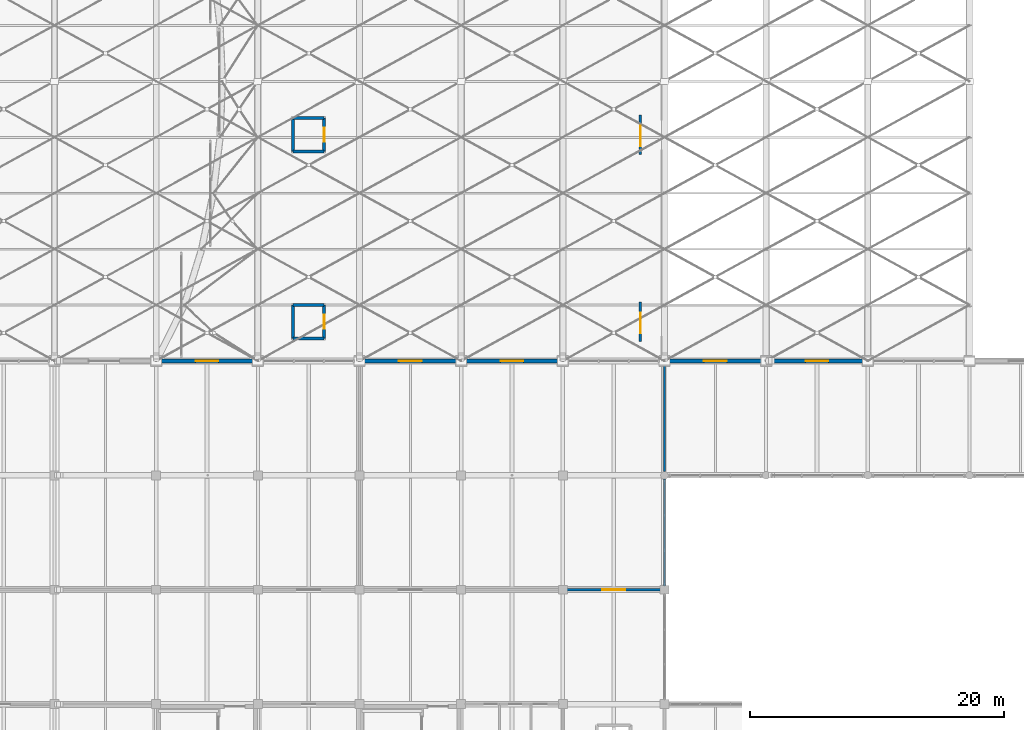
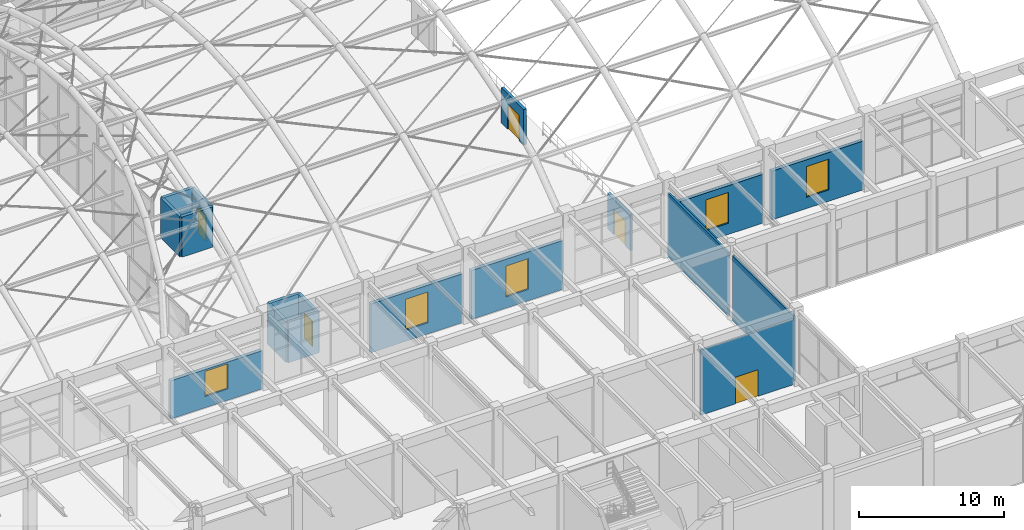
# One storey, part 129 of 163: 18 walls, 5 doors, 5 windows, 10 openings.
"""IFC4 building model written with IfcOpenShell, lengths in metres."""

from ifc_helpers import new_model, si_unit, direction, frame, frame_2d, origin, place, context, subcontext, project, spatial, rectangle, extrude, material, layer, layer_set, type_object, element, fill, save


model = new_model("IFC4")

# Units and contexts
model_context = context("Model", 3, precision=1e-05, world=origin(), true_north=direction((0.0, 1.0)))
body_context = subcontext(model_context, "Body", "Model", "MODEL_VIEW")
ifc_project = project(units=[si_unit("LENGTHUNIT", "METRE"), si_unit("AREAUNIT", "SQUARE_METRE"), si_unit("VOLUMEUNIT", "CUBIC_METRE"), si_unit("PLANEANGLEUNIT", "RADIAN"), si_unit("MASSUNIT", "GRAM", prefix="KILO")], contexts=[model_context])

# Site, building, storey
site_placement = place(None, origin())
site = spatial("IfcSite", under=ifc_project, at=site_placement, CompositionType="ELEMENT")
building_placement = place(site_placement, origin())
building = spatial("IfcBuilding", under=site, at=building_placement, Name="Varnabhumi Central Station", CompositionType="ELEMENT")
storey_placement = place(building_placement, frame((0.0, 0.0, 9.60009765625)))
storey = spatial("IfcBuildingStorey", under=building, at=storey_placement, Name="L02", CompositionType="ELEMENT", Elevation=9.60009765625)

# Wall, opening, door
ifc_material_1 = material(Name="Autoclaved aerated blockwork masonry", Category="masonry")
ifc_layer_1 = layer(ifc_material_1, 0.219970703125, Name="Autoclaved aerated blockwork masonry", Category="masonry")
ifc_layer_set_1 = layer_set([ifc_layer_1], Name="Autoclaved aerated blockwork masonry")
wall_type_1 = type_object("IfcWallType", Name="WAL-COMP-AAC-220", PredefinedType="SOLIDWALL", material=ifc_layer_set_1)
wall_1_placement = place(storey_placement, frame((110.10009765625, 37.550048828125, 0.0), z_axis=(0.0, 0.0, 1.0), x_axis=(0.0, 1.0, 0.0)))
wall_1 = element("IfcWall", 1, at=wall_1_placement, inside=storey, type_object=wall_type_1, Name="Platform 1 Concourse Stair Vestibule Wall", PredefinedType="SOLIDWALL", context=body_context, shape_type="SweptSolid", body=[
    extrude(rectangle(XDim=3.099853515625, YDim=0.219970703125, at=frame_2d((1.5498046875, 0.0))), origin(), (0.0, 0.0, 1.0), 3.0),
])
opening_1_placement = place(wall_1_placement, frame((0.64990234375, 0.0, 0.0)))
opening_1 = element("IfcOpeningElement", 2, at=opening_1_placement, cuts=wall_1, Name="Opening FD-60D", PredefinedType="OPENING", context=body_context, shape_type="SweptSolid", body=[
    extrude(rectangle(XDim=1.60009765625, YDim=2.14990234375, at=frame_2d((0.800048828125, 1.074951171875))), frame((0.0, 0.119873046875, 0.0), z_axis=(0.0, -1.0, 0.0), x_axis=(1.0, 0.0, 0.0)), (0.0, 0.0, 1.0), 0.239990234375),
])
ifc_material_2 = material(Name="Intumescent-treated hardwood timber", Category="wood")
door_type_1 = type_object("IfcDoorType", Name="DR-FIRE-60-1600", OperationType="NOTDEFINED", PredefinedType="DOOR", material=ifc_material_2)
door_1_placement = place(opening_1_placement, origin())
door_1 = element("IfcDoor", 3, at=door_1_placement, inside=storey, type_object=door_type_1, Name="Platform 1 Concourse Stair Exit Door", OperationType="DOUBLE_DOOR_SINGLE_SWING", OverallHeight=2.14990234375, OverallWidth=1.60009765625, PredefinedType="DOOR", context=body_context, shape_type="SweptSolid", body=[
    extrude(rectangle(XDim=1.60009765625, YDim=2.14990234375, at=frame_2d((0.800048828125, 1.074951171875))), frame((0.0, 0.02490234375, 0.0), z_axis=(0.0, -1.0, 0.0), x_axis=(1.0, 0.0, 0.0)), (0.0, 0.0, 1.0), 0.050048828125),
])
fill(opening_1, door_1)

wall_2_placement = place(storey_placement, frame((110.10009765625, 52.25, 0.0), z_axis=(0.0, 0.0, 1.0), x_axis=(0.0, 1.0, 0.0)))
wall_2 = element("IfcWall", 4, at=wall_2_placement, inside=storey, type_object=wall_type_1, Name="Platform 2 Concourse Stair Vestibule Wall", PredefinedType="SOLIDWALL", context=body_context, shape_type="SweptSolid", body=[
    extrude(rectangle(XDim=3.10009765625, YDim=0.219970703125, at=frame_2d((1.550048828125, 0.0))), origin(), (0.0, 0.0, 1.0), 3.0),
])
opening_2_placement = place(wall_2_placement, frame((0.64990234375, 0.0, 0.0)))
opening_2 = element("IfcOpeningElement", 5, at=opening_2_placement, cuts=wall_2, Name="Opening FD-60D", PredefinedType="OPENING", context=body_context, shape_type="SweptSolid", body=[
    extrude(rectangle(XDim=1.60009765625, YDim=2.14990234375, at=frame_2d((0.800048828125, 1.074951171875))), frame((0.0, 0.119873046875, 0.0), z_axis=(0.0, -1.0, 0.0), x_axis=(1.0, 0.0, 0.0)), (0.0, 0.0, 1.0), 0.239990234375),
])
door_2_placement = place(opening_2_placement, origin())
door_2 = element("IfcDoor", 6, at=door_2_placement, inside=storey, type_object=door_type_1, Name="Platform 2 Concourse Stair Exit Door", OperationType="DOUBLE_DOOR_SINGLE_SWING", OverallHeight=2.14990234375, OverallWidth=1.60009765625, PredefinedType="DOOR", context=body_context, shape_type="SweptSolid", body=[
    extrude(rectangle(XDim=1.60009765625, YDim=2.14990234375, at=frame_2d((0.800048828125, 1.074951171875))), frame((0.0, 0.02490234375, 0.0), z_axis=(0.0, -1.0, 0.0), x_axis=(1.0, 0.0, 0.0)), (0.0, 0.0, 1.0), 0.050048828125),
])
fill(opening_2, door_2)

# Wall, opening, window
ifc_layer_2 = layer(ifc_material_1, 0.300048828125, Name="Autoclaved aerated blockwork masonry", Category="masonry")
ifc_layer_set_2 = layer_set([ifc_layer_2], Name="Autoclaved aerated blockwork masonry")
wall_type_2 = type_object("IfcWallType", Name="WAL-EXT-STUCCO-300", PredefinedType="SOLIDWALL", material=ifc_layer_set_2)
wall_3_placement = place(storey_placement, frame((72.344970703125, 36.0, 0.0), z_axis=(0.0, 0.0, 1.0), x_axis=(1.0, 0.0, 0.0)))
wall_3 = element("IfcWall", 7, at=wall_3_placement, inside=storey, type_object=wall_type_2, Name="South Spine Wall L02-6", PredefinedType="SOLIDWALL", context=body_context, shape_type="SweptSolid", body=[
    extrude(rectangle(XDim=7.31005859375, YDim=0.300048828125, at=frame_2d((3.655029296875, 0.0))), origin(), (0.0, 0.0, 1.0), 3.219970703125),
])
opening_3_placement = place(wall_3_placement, frame((2.7548828125, 0.0, 0.949951171875)))
opening_3 = element("IfcOpeningElement", 8, at=opening_3_placement, cuts=wall_3, Name="Opening W-02", PredefinedType="OPENING", context=body_context, shape_type="SweptSolid", body=[
    extrude(rectangle(XDim=1.800048828125, YDim=2.1298828125, at=frame_2d((0.89990234375, 1.06494140625))), frame((0.0, 0.159912109375, 0.0), z_axis=(0.0, -1.0, 0.0), x_axis=(1.0, 0.0, 0.0)), (0.0, 0.0, 1.0), 0.320068359375),
])
ifc_material_3 = material(Name="Laminated low-E double glazing", Category="glass")
window_type = type_object("IfcWindowType", Name="WIN-ARCADE-1800x2600", PartitioningType="DOUBLE_PANEL_VERTICAL", PredefinedType="WINDOW", material=ifc_material_3)
window_1_placement = place(opening_3_placement, origin())
window_1 = element("IfcWindow", 9, at=window_1_placement, inside=storey, type_object=window_type, Name="South Spine Overlook Window L02-6", OverallHeight=2.1298828125, OverallWidth=1.800048828125, PartitioningType="SINGLE_PANEL", PredefinedType="WINDOW", context=body_context, shape_type="SweptSolid", body=[
    extrude(rectangle(XDim=1.800048828125, YDim=2.1298828125, at=frame_2d((0.89990234375, 1.06494140625))), frame((0.0, 0.030029296875, 0.0), z_axis=(0.0, -1.0, 0.0), x_axis=(1.0, 0.0, 0.0)), (0.0, 0.0, 1.0), 0.06005859375),
])
fill(opening_3, window_1)

wall_4_placement = place(storey_placement, frame((88.344970703125, 36.0, 0.0), z_axis=(0.0, 0.0, 1.0), x_axis=(1.0, 0.0, 0.0)))
wall_4 = element("IfcWall", 10, at=wall_4_placement, inside=storey, type_object=wall_type_2, Name="South Spine Wall L02-8", PredefinedType="SOLIDWALL", context=body_context, shape_type="SweptSolid", body=[
    extrude(rectangle(XDim=7.31005859375, YDim=0.300048828125, at=frame_2d((3.655029296875, 0.0))), origin(), (0.0, 0.0, 1.0), 4.119873046875),
])
opening_4_placement = place(wall_4_placement, frame((2.7548828125, 0.0, 0.949951171875)))
opening_4 = element("IfcOpeningElement", 11, at=opening_4_placement, cuts=wall_4, Name="Opening W-02", PredefinedType="OPENING", context=body_context, shape_type="SweptSolid", body=[
    extrude(rectangle(XDim=1.800048828125, YDim=2.60009765625, at=frame_2d((0.89990234375, 1.300048828125))), frame((0.0, 0.159912109375, 0.0), z_axis=(0.0, -1.0, 0.0), x_axis=(1.0, 0.0, 0.0)), (0.0, 0.0, 1.0), 0.320068359375),
])
window_2_placement = place(opening_4_placement, origin())
window_2 = element("IfcWindow", 12, at=window_2_placement, inside=storey, type_object=window_type, Name="South Spine Overlook Window L02-8", OverallHeight=2.60009765625, OverallWidth=1.800048828125, PartitioningType="SINGLE_PANEL", PredefinedType="WINDOW", context=body_context, shape_type="SweptSolid", body=[
    extrude(rectangle(XDim=1.800048828125, YDim=2.60009765625, at=frame_2d((0.89990234375, 1.300048828125))), frame((0.0, 0.030029296875, 0.0), z_axis=(0.0, -1.0, 0.0), x_axis=(1.0, 0.0, 0.0)), (0.0, 0.0, 1.0), 0.06005859375),
])
fill(opening_4, window_2)

wall_5_placement = place(storey_placement, frame((96.344970703125, 36.0, 0.0), z_axis=(0.0, 0.0, 1.0), x_axis=(1.0, 0.0, 0.0)))
wall_5 = element("IfcWall", 13, at=wall_5_placement, inside=storey, type_object=wall_type_2, Name="South Spine Wall L02-9", PredefinedType="SOLIDWALL", context=body_context, shape_type="SweptSolid", body=[
    extrude(rectangle(XDim=7.31005859375, YDim=0.300048828125, at=frame_2d((3.655029296875, 0.0))), origin(), (0.0, 0.0, 1.0), 4.119873046875),
])
opening_5_placement = place(wall_5_placement, frame((2.7548828125, 0.0, 0.949951171875)))
opening_5 = element("IfcOpeningElement", 14, at=opening_5_placement, cuts=wall_5, Name="Opening W-02", PredefinedType="OPENING", context=body_context, shape_type="SweptSolid", body=[
    extrude(rectangle(XDim=1.800048828125, YDim=2.60009765625, at=frame_2d((0.89990234375, 1.300048828125))), frame((0.0, 0.159912109375, 0.0), z_axis=(0.0, -1.0, 0.0), x_axis=(1.0, 0.0, 0.0)), (0.0, 0.0, 1.0), 0.320068359375),
])
window_3_placement = place(opening_5_placement, origin())
window_3 = element("IfcWindow", 15, at=window_3_placement, inside=storey, type_object=window_type, Name="South Spine Overlook Window L02-9", OverallHeight=2.60009765625, OverallWidth=1.800048828125, PartitioningType="SINGLE_PANEL", PredefinedType="WINDOW", context=body_context, shape_type="SweptSolid", body=[
    extrude(rectangle(XDim=1.800048828125, YDim=2.60009765625, at=frame_2d((0.89990234375, 1.300048828125))), frame((0.0, 0.030029296875, 0.0), z_axis=(0.0, -1.0, 0.0), x_axis=(1.0, 0.0, 0.0)), (0.0, 0.0, 1.0), 0.06005859375),
])
fill(opening_5, window_3)

wall_6_placement = place(storey_placement, frame((112.344970703125, 36.0, 0.0), z_axis=(0.0, 0.0, 1.0), x_axis=(1.0, 0.0, 0.0)))
wall_6 = element("IfcWall", 16, at=wall_6_placement, inside=storey, type_object=wall_type_2, Name="South Spine Wall L02-11", PredefinedType="SOLIDWALL", context=body_context, shape_type="SweptSolid", body=[
    extrude(rectangle(XDim=7.31005859375, YDim=0.300048828125, at=frame_2d((3.655029296875, 0.0))), origin(), (0.0, 0.0, 1.0), 4.119873046875),
])
opening_6_placement = place(wall_6_placement, frame((2.7548828125, 0.0, 0.949951171875)))
opening_6 = element("IfcOpeningElement", 17, at=opening_6_placement, cuts=wall_6, Name="Opening W-02", PredefinedType="OPENING", context=body_context, shape_type="SweptSolid", body=[
    extrude(rectangle(XDim=1.800048828125, YDim=2.60009765625, at=frame_2d((0.89990234375, 1.300048828125))), frame((0.0, 0.159912109375, 0.0), z_axis=(0.0, -1.0, 0.0), x_axis=(1.0, 0.0, 0.0)), (0.0, 0.0, 1.0), 0.320068359375),
])
window_4_placement = place(opening_6_placement, origin())
window_4 = element("IfcWindow", 18, at=window_4_placement, inside=storey, type_object=window_type, Name="South Spine Overlook Window L02-11", OverallHeight=2.60009765625, OverallWidth=1.800048828125, PartitioningType="SINGLE_PANEL", PredefinedType="WINDOW", context=body_context, shape_type="SweptSolid", body=[
    extrude(rectangle(XDim=1.800048828125, YDim=2.60009765625, at=frame_2d((0.89990234375, 1.300048828125))), frame((0.0, 0.030029296875, 0.0), z_axis=(0.0, -1.0, 0.0), x_axis=(1.0, 0.0, 0.0)), (0.0, 0.0, 1.0), 0.06005859375),
])
fill(opening_6, window_4)

wall_7_placement = place(storey_placement, frame((120.344970703125, 36.0, 0.0), z_axis=(0.0, 0.0, 1.0), x_axis=(1.0, 0.0, 0.0)))
wall_7 = element("IfcWall", 19, at=wall_7_placement, inside=storey, type_object=wall_type_2, Name="South Spine Wall L02-12", PredefinedType="SOLIDWALL", context=body_context, shape_type="SweptSolid", body=[
    extrude(rectangle(XDim=7.31005859375, YDim=0.300048828125, at=frame_2d((3.655029296875, 0.0))), origin(), (0.0, 0.0, 1.0), 4.119873046875),
])
opening_7_placement = place(wall_7_placement, frame((2.7548828125, 0.0, 0.949951171875)))
opening_7 = element("IfcOpeningElement", 20, at=opening_7_placement, cuts=wall_7, Name="Opening W-02", PredefinedType="OPENING", context=body_context, shape_type="SweptSolid", body=[
    extrude(rectangle(XDim=1.800048828125, YDim=2.60009765625, at=frame_2d((0.89990234375, 1.300048828125))), frame((0.0, 0.159912109375, 0.0), z_axis=(0.0, -1.0, 0.0), x_axis=(1.0, 0.0, 0.0)), (0.0, 0.0, 1.0), 0.320068359375),
])
window_5_placement = place(opening_7_placement, origin())
window_5 = element("IfcWindow", 21, at=window_5_placement, inside=storey, type_object=window_type, Name="South Spine Overlook Window L02-12", OverallHeight=2.60009765625, OverallWidth=1.800048828125, PartitioningType="SINGLE_PANEL", PredefinedType="WINDOW", context=body_context, shape_type="SweptSolid", body=[
    extrude(rectangle(XDim=1.800048828125, YDim=2.60009765625, at=frame_2d((0.89990234375, 1.300048828125))), frame((0.0, 0.030029296875, 0.0), z_axis=(0.0, -1.0, 0.0), x_axis=(1.0, 0.0, 0.0)), (0.0, 0.0, 1.0), 0.06005859375),
])
fill(opening_7, window_5)

# Wall, opening, door
ifc_layer_3 = layer(ifc_material_1, 0.159912109375, Name="Autoclaved aerated blockwork masonry", Category="masonry")
ifc_layer_set_3 = layer_set([ifc_layer_3], Name="Autoclaved aerated blockwork masonry")
wall_type_3 = type_object("IfcWallType", Name="WAL-PART-AAC-160", PredefinedType="PARTITIONING", material=ifc_layer_set_3)
wall_8_placement = place(storey_placement, frame((104.300048828125, 18.0, 0.0), z_axis=(0.0, 0.0, 1.0), x_axis=(1.0, 0.0, 0.0)))
wall_8 = element("IfcWall", 22, at=wall_8_placement, inside=storey, type_object=wall_type_3, Name="Family Waiting Hall Corridor Partition 3", PredefinedType="PARTITIONING", context=body_context, shape_type="SweptSolid", body=[
    extrude(rectangle(XDim=7.39990234375, YDim=0.159912109375, at=frame_2d((3.699951171875, 0.0))), origin(), (0.0, 0.0, 1.0), 5.5),
])
opening_8_placement = place(wall_8_placement, frame((2.800048828125, 0.0, 0.0)))
opening_8 = element("IfcOpeningElement", 23, at=opening_8_placement, cuts=wall_8, Name="Opening D-02", PredefinedType="OPENING", context=body_context, shape_type="SweptSolid", body=[
    extrude(rectangle(XDim=1.800048828125, YDim=2.25, at=frame_2d((0.89990234375, 1.125))), frame((0.0, 0.08984375, 0.0), z_axis=(0.0, -1.0, 0.0), x_axis=(1.0, 0.0, 0.0)), (0.0, 0.0, 1.0), 0.179931640625),
])
ifc_material_4 = material(Name="Anodised aluminium 6063-T6", Category="aluminium")
door_type_2 = type_object("IfcDoorType", Name="DR-LOUNGE-1800", OperationType="NOTDEFINED", PredefinedType="DOOR", material=ifc_material_4)
door_3_placement = place(opening_8_placement, frame((1.800048828125, 0.0, 0.0), z_axis=(0.0, 0.0, 1.0), x_axis=(-1.0, 0.0, 0.0)))
door_3 = element("IfcDoor", 24, at=door_3_placement, inside=storey, type_object=door_type_2, Name="Family Waiting Hall Door 3", OperationType="DOUBLE_DOOR_SINGLE_SWING", OverallHeight=2.25, OverallWidth=1.800048828125, PredefinedType="DOOR", context=body_context, shape_type="SweptSolid", body=[
    extrude(rectangle(XDim=1.800048828125, YDim=2.25, at=frame_2d((0.89990234375, 1.125))), frame((0.0, 0.02490234375, 0.0), z_axis=(0.0, -1.0, 0.0), x_axis=(1.0, 0.0, 0.0)), (0.0, 0.0, 1.0), 0.050048828125),
])
fill(opening_8, door_3)

# Walls
wall_9_placement = place(storey_placement, frame((112.0, 18.300048828125, 0.0), z_axis=(0.0, 0.0, 1.0), x_axis=(0.0, 1.0, 0.0)))
element("IfcWall", 25, at=wall_9_placement, inside=storey, type_object=wall_type_3, Name="Family Waiting Hall W Partition 1", PredefinedType="PARTITIONING", context=body_context, shape_type="SweptSolid", body=[
    extrude(rectangle(XDim=8.39990234375, YDim=0.159912109375, at=frame_2d((4.199951171875, 0.0))), origin(), (0.0, 0.0, 1.0), 5.5),
])
wall_10_placement = place(storey_placement, frame((112.0, 27.300048828125, 0.0), z_axis=(0.0, 0.0, 1.0), x_axis=(0.0, 1.0, 0.0)))
element("IfcWall", 26, at=wall_10_placement, inside=storey, type_object=wall_type_3, Name="Family Waiting Hall W Partition 2", PredefinedType="PARTITIONING", context=body_context, shape_type="SweptSolid", body=[
    extrude(rectangle(XDim=8.39990234375, YDim=0.159912109375, at=frame_2d((4.199951171875, 0.0))), origin(), (0.0, 0.0, 1.0), 5.35986328125),
])
ifc_material_5 = material(Name="Concrete M40", Category="concrete")
ifc_layer_4 = layer(ifc_material_5, 0.239990234375, Name="Concrete M40", Category="concrete")
ifc_layer_set_4 = layer_set([ifc_layer_4], Name="Concrete M40")
wall_type_4 = type_object("IfcWallType", Name="WAL-SHAFT-RC-240", PredefinedType="SHEAR", material=ifc_layer_set_4)
wall_11_placement = place(storey_placement, frame((82.780029296875, 37.780029296875, 0.0), z_axis=(0.0, 0.0, 1.0), x_axis=(0.0, 1.0, 0.0)))
element("IfcWall", 27, at=wall_11_placement, inside=storey, type_object=wall_type_4, Name="PL-1 L02 Shaft West Wall", PredefinedType="SHEAR", context=body_context, shape_type="SweptSolid", body=[
    extrude(rectangle(XDim=2.639892578125, YDim=0.239990234375, at=frame_2d((1.31982421875, 0.0))), origin(), (0.0, 0.0, 1.0), 3.39990234375),
])
for number, where, z_axis, x_axis, name in (
    (28, (82.780029296875, 37.780029296875, 0.0), (0.0, 0.0, 1.0), (1.0, 0.0, 0.0), "PL-1 L02 Shaft South Wall"),
    (29, (82.780029296875, 40.419921875, 0.0), (0.0, 0.0, 1.0), (1.0, 0.0, 0.0), "PL-1 L02 Shaft North Wall"),
):
    element("IfcWall", number, at=place(storey_placement, frame(where, z_axis=z_axis, x_axis=x_axis)), inside=storey, type_object=wall_type_4, Name=name, PredefinedType="SHEAR", context=body_context, shape_type="SweptSolid", body=[
        extrude(rectangle(XDim=2.43994140625, YDim=0.239990234375, at=frame_2d((1.219970703125, 0.0))), origin(), (0.0, 0.0, 1.0), 3.39990234375),
    ])

# Wall, opening, door
wall_12_placement = place(storey_placement, frame((85.219970703125, 37.780029296875, 0.0), z_axis=(0.0, 0.0, 1.0), x_axis=(0.0, 1.0, 0.0)))
wall_12 = element("IfcWall", 30, at=wall_12_placement, inside=storey, type_object=wall_type_4, Name="PL-1 L02 Shaft Front Wall", PredefinedType="SHEAR", context=body_context, shape_type="SweptSolid", body=[
    extrude(rectangle(XDim=2.639892578125, YDim=0.239990234375, at=frame_2d((1.31982421875, 0.0))), origin(), (0.0, 0.0, 1.0), 3.39990234375),
])
opening_9_placement = place(wall_12_placement, frame((0.77001953125, 0.0, 0.0)))
opening_9 = element("IfcOpeningElement", 31, at=opening_9_placement, cuts=wall_12, Name="Opening LD-PL-1", PredefinedType="OPENING", context=body_context, shape_type="SweptSolid", body=[
    extrude(rectangle(XDim=1.10009765625, YDim=2.14990234375, at=frame_2d((0.550048828125, 1.074951171875))), frame((0.0, 0.1298828125, 0.0), z_axis=(0.0, -1.0, 0.0), x_axis=(1.0, 0.0, 0.0)), (0.0, 0.0, 1.0), 0.260009765625),
])
ifc_material_6 = material(Name="Stainless steel Grade 316", Category="steel")
door_type_3 = type_object("IfcDoorType", Name="DR-LIFT-PASS-1100", OperationType="NOTDEFINED", PredefinedType="DOOR", material=ifc_material_6)
door_4_placement = place(opening_9_placement, origin())
door_4 = element("IfcDoor", 32, at=door_4_placement, inside=storey, type_object=door_type_3, Name="Lift Landing Door PL-1 L02", OperationType="DOUBLE_DOOR_SLIDING", OverallHeight=2.14990234375, OverallWidth=1.10009765625, PredefinedType="DOOR", context=body_context, shape_type="SweptSolid", body=[
    extrude(rectangle(XDim=1.10009765625, YDim=2.14990234375, at=frame_2d((0.550048828125, 1.074951171875))), frame((0.0, 0.02490234375, 0.0), z_axis=(0.0, -1.0, 0.0), x_axis=(1.0, 0.0, 0.0)), (0.0, 0.0, 1.0), 0.050048828125),
])
fill(opening_9, door_4)

# Walls
wall_13_placement = place(storey_placement, frame((82.780029296875, 52.47998046875, 0.0), z_axis=(0.0, 0.0, 1.0), x_axis=(0.0, 1.0, 0.0)))
element("IfcWall", 33, at=wall_13_placement, inside=storey, type_object=wall_type_4, Name="PL-2 L02 Shaft West Wall", PredefinedType="SHEAR", context=body_context, shape_type="SweptSolid", body=[
    extrude(rectangle(XDim=2.64013671875, YDim=0.239990234375, at=frame_2d((1.320068359375, 0.0))), origin(), (0.0, 0.0, 1.0), 3.39990234375),
])
for number, where, z_axis, x_axis, name in (
    (34, (82.780029296875, 52.47998046875, 0.0), (0.0, 0.0, 1.0), (1.0, 0.0, 0.0), "PL-2 L02 Shaft South Wall"),
    (35, (82.780029296875, 55.1201171875, 0.0), (0.0, 0.0, 1.0), (1.0, 0.0, 0.0), "PL-2 L02 Shaft North Wall"),
):
    element("IfcWall", number, at=place(storey_placement, frame(where, z_axis=z_axis, x_axis=x_axis)), inside=storey, type_object=wall_type_4, Name=name, PredefinedType="SHEAR", context=body_context, shape_type="SweptSolid", body=[
        extrude(rectangle(XDim=2.43994140625, YDim=0.239990234375, at=frame_2d((1.219970703125, 0.0))), origin(), (0.0, 0.0, 1.0), 3.39990234375),
    ])

# Wall, opening, door
wall_14_placement = place(storey_placement, frame((85.219970703125, 52.47998046875, 0.0), z_axis=(0.0, 0.0, 1.0), x_axis=(0.0, 1.0, 0.0)))
wall_14 = element("IfcWall", 36, at=wall_14_placement, inside=storey, type_object=wall_type_4, Name="PL-2 L02 Shaft Front Wall", PredefinedType="SHEAR", context=body_context, shape_type="SweptSolid", body=[
    extrude(rectangle(XDim=2.64013671875, YDim=0.239990234375, at=frame_2d((1.320068359375, 0.0))), origin(), (0.0, 0.0, 1.0), 3.39990234375),
])
opening_10_placement = place(wall_14_placement, frame((0.77001953125, 0.0, 0.0)))
opening_10 = element("IfcOpeningElement", 37, at=opening_10_placement, cuts=wall_14, Name="Opening LD-PL-2", PredefinedType="OPENING", context=body_context, shape_type="SweptSolid", body=[
    extrude(rectangle(XDim=1.10009765625, YDim=2.14990234375, at=frame_2d((0.550048828125, 1.074951171875))), frame((0.0, 0.1298828125, 0.0), z_axis=(0.0, -1.0, 0.0), x_axis=(1.0, 0.0, 0.0)), (0.0, 0.0, 1.0), 0.260009765625),
])
door_5_placement = place(opening_10_placement, origin())
door_5 = element("IfcDoor", 38, at=door_5_placement, inside=storey, type_object=door_type_3, Name="Lift Landing Door PL-2 L02", OperationType="DOUBLE_DOOR_SLIDING", OverallHeight=2.14990234375, OverallWidth=1.10009765625, PredefinedType="DOOR", context=body_context, shape_type="SweptSolid", body=[
    extrude(rectangle(XDim=1.10009765625, YDim=2.14990234375, at=frame_2d((0.550048828125, 1.074951171875))), frame((0.0, 0.02490234375, 0.0), z_axis=(0.0, -1.0, 0.0), x_axis=(1.0, 0.0, 0.0)), (0.0, 0.0, 1.0), 0.050048828125),
])
fill(opening_10, door_5)

save(model, "model.ifc")
